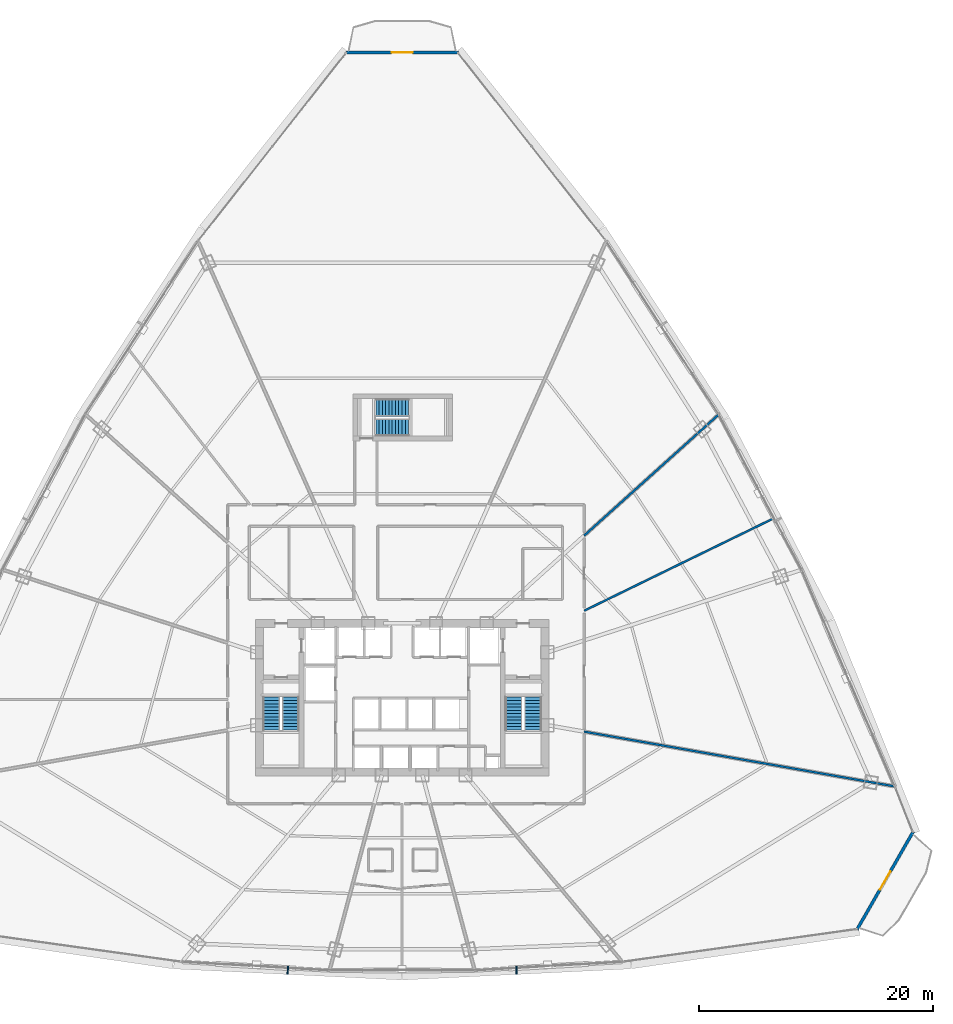
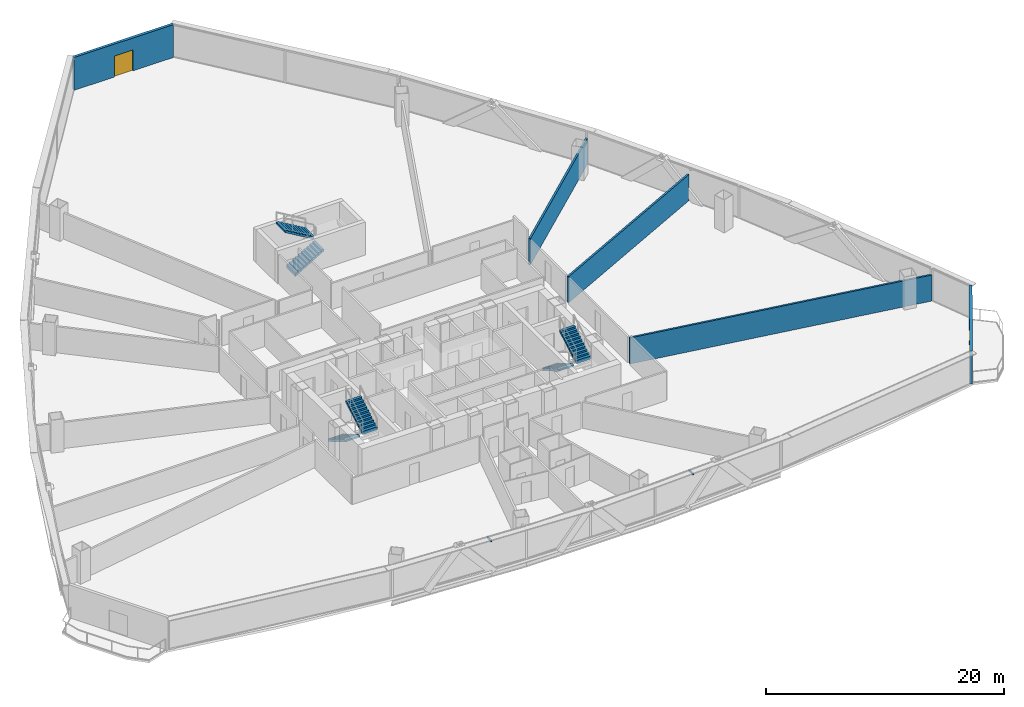
# One storey, part 33 of 38: 6 stair flights, 5 walls, 2 discrete accessories, 2 doors, 2 openings, 3 elements without a shape of their own.
"""IFC4 building model written with IfcOpenShell, lengths in metres."""

from ifc_helpers import new_model, si_unit, direction, frame, frame_2d, origin, origin_with_axes, origin_2d, place, context, subcontext, project, spatial, polyline, rectangle, outline, extrude, source, transform, mapped, material, layer, layer_set, type_object, element, fill, aggregate, save


model = new_model("IFC4")

# Units and contexts
model_context = context("Model", 3, precision=1e-05, world=origin(), true_north=direction((0.0, 1.0)))
body_context = subcontext(model_context, "Body", "Model", "MODEL_VIEW")
ifc_project = project(units=[si_unit("LENGTHUNIT", "METRE"), si_unit("AREAUNIT", "SQUARE_METRE"), si_unit("VOLUMEUNIT", "CUBIC_METRE"), si_unit("PLANEANGLEUNIT", "RADIAN"), si_unit("MASSUNIT", "GRAM", prefix="KILO"), si_unit("THERMODYNAMICTEMPERATUREUNIT", "KELVIN"), si_unit("POWERUNIT", "WATT")], contexts=[model_context])

# Site, building, storey
site_placement = place(None, origin())
site = spatial("IfcSite", under=ifc_project, at=site_placement, CompositionType="ELEMENT")
building_placement = place(site_placement, origin())
building = spatial("IfcBuilding", under=site, at=building_placement, Name="Yunzhuo Pagoda Commons", CompositionType="ELEMENT")
storey_placement = place(building_placement, frame((0.0, 0.0, 37.659912109375)))
storey = spatial("IfcBuildingStorey", under=building, at=storey_placement, Name="L09", CompositionType="ELEMENT", Elevation=37.659912109375)

# Wall, opening, door
ifc_material_1 = material(Name="Precast concrete C40", Category="concrete")
ifc_layer_1 = layer(ifc_material_1, 0.260009765625)
ifc_layer_set_1 = layer_set([ifc_layer_1], Name="Precast concrete C40")
wall_type_1 = type_object("IfcWallType", Name="W-BAL1 Corner Balcony Threshold Wall 260", PredefinedType="STANDARD", material=ifc_layer_set_1)
wall_1_placement = place(storey_placement, frame((86.857666015625, 14.03466796875, 0.0), z_axis=(0.0, 0.0, 1.0), x_axis=(0.497938580997, 0.867212297857, 0.0)))
wall_1 = element("IfcWall", 1, at=wall_1_placement, inside=storey, type_object=wall_type_1, Name="L09 corner balcony wall V2", PredefinedType="STANDARD", context=body_context, shape_type="SweptSolid", body=[
    extrude(rectangle(XDim=9.665771484375, YDim=0.260009765625, at=frame_2d((4.8330078125, 0.0))), origin(), (0.0, 0.0, 1.0), 3.3701171875),
])
opening_1_placement = place(wall_1_placement, frame((3.93310546875, 0.0, 0.0)))
opening_1 = element("IfcOpeningElement", 2, at=opening_1_placement, cuts=wall_1, Name="Opening D-BAL1", PredefinedType="OPENING", context=body_context, shape_type="SweptSolid", body=[
    extrude(rectangle(XDim=1.800048828125, YDim=2.14990234375, at=frame_2d((0.89990234375, 1.074951171875))), frame((0.0, 0.14013671875, 0.0), z_axis=(0.0, -1.0, 0.0), x_axis=(1.0, 0.0, 0.0)), (0.0, 0.0, 1.0), 0.280029296875),
])
ifc_material_2 = material(Name="Anodized aluminium frame and tempered glazed leaf", Category="aluminium")
door_type = type_object("IfcDoorType", Name="D-BAL1 Corner Balcony Sliding Glazed Door 1800x2150", OperationType="DOUBLE_DOOR_SLIDING", PredefinedType="DOOR", material=ifc_material_2)
shared_shape_1 = source(origin(), body_context, "Body", "SweptSolid", [
    extrude(rectangle(XDim=1.800048828125, YDim=2.14990234375, at=frame_2d((0.89990234375, 1.074951171875))), frame((0.0, 0.02490234375, 0.0), z_axis=(0.0, -1.0, 0.0), x_axis=(1.0, 0.0, 0.0)), (0.0, 0.0, 1.0), 0.050048828125),
])
door_1_placement = place(opening_1_placement, origin_with_axes())
door_1 = element("IfcDoor", 3, at=door_1_placement, inside=storey, type_object=door_type, Name="L09 corner balcony sliding door V2", OperationType="DOUBLE_DOOR_SLIDING", OverallHeight=2.14990234375, OverallWidth=1.800048828125, PredefinedType="DOOR", context=body_context, shape_type="MappedRepresentation", body=[
    mapped(shared_shape_1, transform((0.0, 0.0, 0.0), scale=1.0)),
])
fill(opening_1, door_1)

wall_2_placement = place(storey_placement, frame((52.813720703125, 88.980712890625, 0.0), z_axis=(0.0, 0.0, 1.0), x_axis=(-1.0, 0.0, 0.0)))
wall_2 = element("IfcWall", 4, at=wall_2_placement, inside=storey, type_object=wall_type_1, Name="L09 corner balcony wall V3", PredefinedType="STANDARD", context=body_context, shape_type="SweptSolid", body=[
    extrude(rectangle(XDim=9.62744140625, YDim=0.260009765625, at=frame_2d((4.813720703125, 0.0))), origin(), (0.0, 0.0, 1.0), 3.3701171875),
])
opening_2_placement = place(wall_2_placement, frame((3.91357421875, 0.0, 0.0)))
opening_2 = element("IfcOpeningElement", 5, at=opening_2_placement, cuts=wall_2, Name="Opening D-BAL1", PredefinedType="OPENING", context=body_context, shape_type="SweptSolid", body=[
    extrude(rectangle(XDim=1.800048828125, YDim=2.14990234375, at=frame_2d((0.89990234375, 1.074951171875))), frame((0.0, 0.14013671875, 0.0), z_axis=(0.0, -1.0, 0.0), x_axis=(1.0, 0.0, 0.0)), (0.0, 0.0, 1.0), 0.280029296875),
])
door_2_placement = place(opening_2_placement, origin_with_axes())
door_2 = element("IfcDoor", 6, at=door_2_placement, inside=storey, type_object=door_type, Name="L09 corner balcony sliding door V3", OperationType="DOUBLE_DOOR_SLIDING", OverallHeight=2.14990234375, OverallWidth=1.800048828125, PredefinedType="DOOR", context=body_context, shape_type="MappedRepresentation", body=[
    mapped(shared_shape_1, transform((0.0, 0.0, 0.0), scale=1.0)),
])
fill(opening_2, door_2)

# Walls
ifc_material_3 = material(Name="Gypsum plasterboard on acoustic stud")
ifc_layer_2 = layer(ifc_material_3, 0.179931640625)
ifc_layer_set_2 = layer_set([ifc_layer_2], Name="Gypsum plasterboard on acoustic stud")
wall_type_2 = type_object("IfcWallType", Name="W-PRT2 Acoustic Unit Demising Wall 180", PredefinedType="PARTITIONING", material=ifc_layer_set_2)
wall_3_placement = place(storey_placement, frame((63.550048828125, 41.2841796875, 0.0), z_axis=(0.0, 0.0, 1.0), x_axis=(0.898792344086, 0.438374636825, 0.0)))
element("IfcWall", 7, at=wall_3_placement, inside=storey, type_object=wall_type_2, Name="L09 interior wall IW-L09-RAD01", PredefinedType="PARTITIONING", context=body_context, shape_type="SweptSolid", body=[
    extrude(rectangle(XDim=18.064453125, YDim=0.179931640625, at=frame_2d((9.0322265625, 0.0))), origin(), (0.0, 0.0, 1.0), 2.670166015625),
])
wall_4_placement = place(storey_placement, frame((63.550048828125, 47.701416015625, 0.0), z_axis=(0.0, 0.0, 1.0), x_axis=(0.743145159556, 0.669130235326, 0.0)))
element("IfcWall", 8, at=wall_4_placement, inside=storey, type_object=wall_type_2, Name="L09 interior wall IW-L09-RAD02", PredefinedType="PARTITIONING", context=body_context, shape_type="SweptSolid", body=[
    extrude(rectangle(XDim=15.4833984375, YDim=0.179931640625, at=frame_2d((7.74169921875, 0.0))), origin(), (0.0, 0.0, 1.0), 2.670166015625),
])
wall_5_placement = place(storey_placement, frame((63.550048828125, 30.9580078125, 0.0), z_axis=(0.0, 0.0, 1.0), x_axis=(0.984807983054, -0.17364687303, 0.0)))
element("IfcWall", 9, at=wall_5_placement, inside=storey, type_object=wall_type_2, Name="L09 interior wall IW-L09-RAD14", PredefinedType="PARTITIONING", context=body_context, shape_type="SweptSolid", body=[
    extrude(rectangle(XDim=26.957763671875, YDim=0.179931640625, at=frame_2d((13.47900390625, 0.0))), origin(), (0.0, 0.0, 1.0), 2.670166015625),
])

# Stair, stair flights
ifc_material_4 = material(Name="Concrete C40", Category="concrete")
stair_type_1 = type_object("IfcStairType", Name="ST-C1 Core Smokeproof Stair ST1", PredefinedType="HALF_TURN_STAIR", material=ifc_material_4)
stair_1_placement = place(storey_placement, origin())
stair_1 = element("IfcStair", 10, at=stair_1_placement, inside=storey, type_object=stair_type_1, Name="L09 Core smokeproof stair ST1", PredefinedType="HALF_TURN_STAIR")
stair_flight_type_1 = type_object("IfcStairFlightType", Name="STF-C1 Core Stair Flight 1450", PredefinedType="STRAIGHT", material=ifc_material_4)
shared_shape_2 = source(origin(), body_context, "Body", "SweptSolid", [
    extrude(outline(polyline([(0.0, -0.14990234375), (0.0, 0.0), (0.0, 0.1650390625), (0.280029296875, 0.1650390625), (0.280029296875, 0.330078125), (0.56005859375, 0.330078125), (0.56005859375, 0.4951171875), (0.840087890625, 0.4951171875), (0.840087890625, 0.659912109375), (1.1201171875, 0.659912109375), (1.1201171875, 0.824951171875), (1.39990234375, 0.824951171875), (1.39990234375, 0.989990234375), (1.679931640625, 0.989990234375), (1.679931640625, 1.155029296875), (1.9599609375, 1.155029296875), (1.9599609375, 1.320068359375), (2.239990234375, 1.320068359375), (2.239990234375, 1.485107421875), (2.52001953125, 1.485107421875), (2.52001953125, 1.64990234375), (2.800048828125, 1.64990234375), (2.800048828125, 1.81494140625), (2.800048828125, 1.47607421875), (0.295166015625, 0.0), (0.050048828125, -0.14990234375), (0.0, -0.14990234375)])), frame((0.0, 0.72509765625, 0.0), z_axis=(0.0, -1.0, 0.0), x_axis=(1.0, 0.0, 0.0)), (0.0, 0.0, 1.0), 1.449951171875),
])
stair_flight_1_placement = place(storey_placement, frame((36.824951171875, 33.89990234375, 0.0), z_axis=(0.0, 0.0, 1.0), x_axis=(0.0, -1.0, 0.0)))
stair_flight_1 = element("IfcStairFlight", 11, at=stair_flight_1_placement, type_object=stair_flight_type_1, Name="ST1 flight 1", NumberOfRisers=11, NumberOfTreads=10, PredefinedType="STRAIGHT", RiserHeight=0.165, TreadLength=0.28, context=body_context, shape_type="MappedRepresentation", body=[
    mapped(shared_shape_2, transform((0.0, 0.0, 0.0), scale=1.0)),
])
stair_flight_2_placement = place(storey_placement, frame((38.47509765625, 31.10009765625, 1.815185546875), z_axis=(0.0, 0.0, 1.0), x_axis=(0.0, 1.0, 0.0)))
stair_flight_2 = element("IfcStairFlight", 12, at=stair_flight_2_placement, type_object=stair_flight_type_1, Name="ST1 flight 2", NumberOfRisers=11, NumberOfTreads=10, PredefinedType="STRAIGHT", RiserHeight=0.165, TreadLength=0.28, context=body_context, shape_type="MappedRepresentation", body=[
    mapped(shared_shape_2, transform((0.0, 0.0, 0.0), scale=1.0)),
])
aggregate(stair_1, [stair_flight_1, stair_flight_2])

stair_type_2 = type_object("IfcStairType", Name="ST-C2 Core Smokeproof Stair ST2", PredefinedType="HALF_TURN_STAIR", material=ifc_material_4)
stair_2_placement = place(storey_placement, origin())
stair_2 = element("IfcStair", 13, at=stair_2_placement, inside=storey, type_object=stair_type_2, Name="L09 Core smokeproof stair ST2", PredefinedType="HALF_TURN_STAIR")
stair_flight_type_2 = type_object("IfcStairFlightType", Name="STF-C2 Core Stair Flight 1460", PredefinedType="STRAIGHT", material=ifc_material_4)
stair_flight_3_placement = place(storey_placement, frame((57.52490234375, 33.89990234375, 0.0), z_axis=(0.0, 0.0, 1.0), x_axis=(0.0, -1.0, 0.0)))
stair_flight_3 = element("IfcStairFlight", 14, at=stair_flight_3_placement, type_object=stair_flight_type_2, Name="ST2 flight 1", NumberOfRisers=11, NumberOfTreads=10, PredefinedType="STRAIGHT", RiserHeight=0.165, TreadLength=0.28, context=body_context, shape_type="MappedRepresentation", body=[
    mapped(shared_shape_2, transform((0.0, 0.0, 0.0), scale=1.0)),
])
stair_flight_4_placement = place(storey_placement, frame((59.175048828125, 31.10009765625, 1.815185546875), z_axis=(0.0, 0.0, 1.0), x_axis=(0.0, 1.0, 0.0)))
stair_flight_4 = element("IfcStairFlight", 15, at=stair_flight_4_placement, type_object=stair_flight_type_2, Name="ST2 flight 2", NumberOfRisers=11, NumberOfTreads=10, PredefinedType="STRAIGHT", RiserHeight=0.165, TreadLength=0.28, context=body_context, shape_type="MappedRepresentation", body=[
    mapped(shared_shape_2, transform((0.0, 0.0, 0.0), scale=1.0)),
])
aggregate(stair_2, [stair_flight_3, stair_flight_4])

stair_type_3 = type_object("IfcStairType", Name="ST-C3 North Tower Smokeproof Stair ST3", PredefinedType="HALF_TURN_STAIR", material=ifc_material_4)
stair_3_placement = place(storey_placement, origin())
stair_3 = element("IfcStair", 16, at=stair_3_placement, inside=storey, type_object=stair_type_3, Name="L09 North tower smokeproof stair ST3", PredefinedType="HALF_TURN_STAIR")
stair_flight_type_3 = type_object("IfcStairFlightType", Name="STF-C3 North Stair Flight 1500", PredefinedType="STRAIGHT", material=ifc_material_4)
shared_shape_3 = source(origin(), body_context, "Body", "SweptSolid", [
    extrude(outline(polyline([(0.0, -0.14990234375), (0.0, 0.0), (0.0, 0.1650390625), (0.280029296875, 0.1650390625), (0.280029296875, 0.330078125), (0.56005859375, 0.330078125), (0.56005859375, 0.4951171875), (0.840087890625, 0.4951171875), (0.840087890625, 0.659912109375), (1.1201171875, 0.659912109375), (1.1201171875, 0.824951171875), (1.39990234375, 0.824951171875), (1.39990234375, 0.989990234375), (1.679931640625, 0.989990234375), (1.679931640625, 1.155029296875), (1.9599609375, 1.155029296875), (1.9599609375, 1.320068359375), (2.239990234375, 1.320068359375), (2.239990234375, 1.485107421875), (2.52001953125, 1.485107421875), (2.52001953125, 1.64990234375), (2.800048828125, 1.64990234375), (2.800048828125, 1.81494140625), (2.800048828125, 1.47607421875), (0.295166015625, 0.0), (0.050048828125, -0.14990234375), (0.0, -0.14990234375)])), frame((0.0, 0.75, 0.0), z_axis=(0.0, -1.0, 0.0), x_axis=(1.0, 0.0, 0.0)), (0.0, 0.0, 1.0), 1.5),
])
stair_flight_5_placement = place(storey_placement, frame((45.75, 56.949951171875, 0.0), z_axis=(0.0, 0.0, 1.0), x_axis=(1.0, 0.0, 0.0)))
stair_flight_5 = element("IfcStairFlight", 17, at=stair_flight_5_placement, type_object=stair_flight_type_3, Name="ST3 flight 1", NumberOfRisers=11, NumberOfTreads=10, PredefinedType="STRAIGHT", RiserHeight=0.165, TreadLength=0.28, context=body_context, shape_type="MappedRepresentation", body=[
    mapped(shared_shape_3, transform((0.0, 0.0, 0.0), scale=1.0)),
])
stair_flight_6_placement = place(storey_placement, frame((48.550048828125, 58.64990234375, 1.815185546875), z_axis=(0.0, 0.0, 1.0), x_axis=(-1.0, 0.0, 0.0)))
stair_flight_6 = element("IfcStairFlight", 18, at=stair_flight_6_placement, type_object=stair_flight_type_3, Name="ST3 flight 2", NumberOfRisers=11, NumberOfTreads=10, PredefinedType="STRAIGHT", RiserHeight=0.165, TreadLength=0.28, context=body_context, shape_type="MappedRepresentation", body=[
    mapped(shared_shape_3, transform((0.0, 0.0, 0.0), scale=1.0)),
])
aggregate(stair_3, [stair_flight_5, stair_flight_6])

# Discrete accessories
ifc_material_5 = material(Name="Anodized aluminium 6063-T6", Category="aluminium")
discrete_accessory_type = type_object("IfcDiscreteAccessoryType", Name="BK-SUN1 Sunshade Outrigger Bracket", PredefinedType="BRACKET", material=ifc_material_5)
shared_shape_4 = source(origin(), body_context, "Body", "SweptSolid", [
    extrude(rectangle(XDim=0.1201171875, YDim=0.679931640625, at=origin_2d()), origin(), (0.0, 0.0, 1.0), 0.179931640625),
])
for number, where, z_axis, x_axis, name in (
    (19, (38.22900390625, 10.5751953125, 3.16015625), (0.0, 0.0, 1.0), (0.998818043775, -0.04860571396, 0.0), "L09 sunshade outrigger bracket F1.2"),
    (20, (57.77099609375, 10.5751953125, 3.16015625), (0.0, 0.0, 1.0), (0.998818043775, 0.04860571396, 0.0), "L09 sunshade outrigger bracket F1.3"),
):
    element("IfcDiscreteAccessory", number, at=place(storey_placement, frame(where, z_axis=z_axis, x_axis=x_axis)), inside=storey, type_object=discrete_accessory_type, Name=name, PredefinedType="BRACKET", context=body_context, shape_type="MappedRepresentation", body=[
        mapped(shared_shape_4, transform((0.0, 0.0, 0.0), scale=1.0)),
    ])

save(model, "model.ifc")
